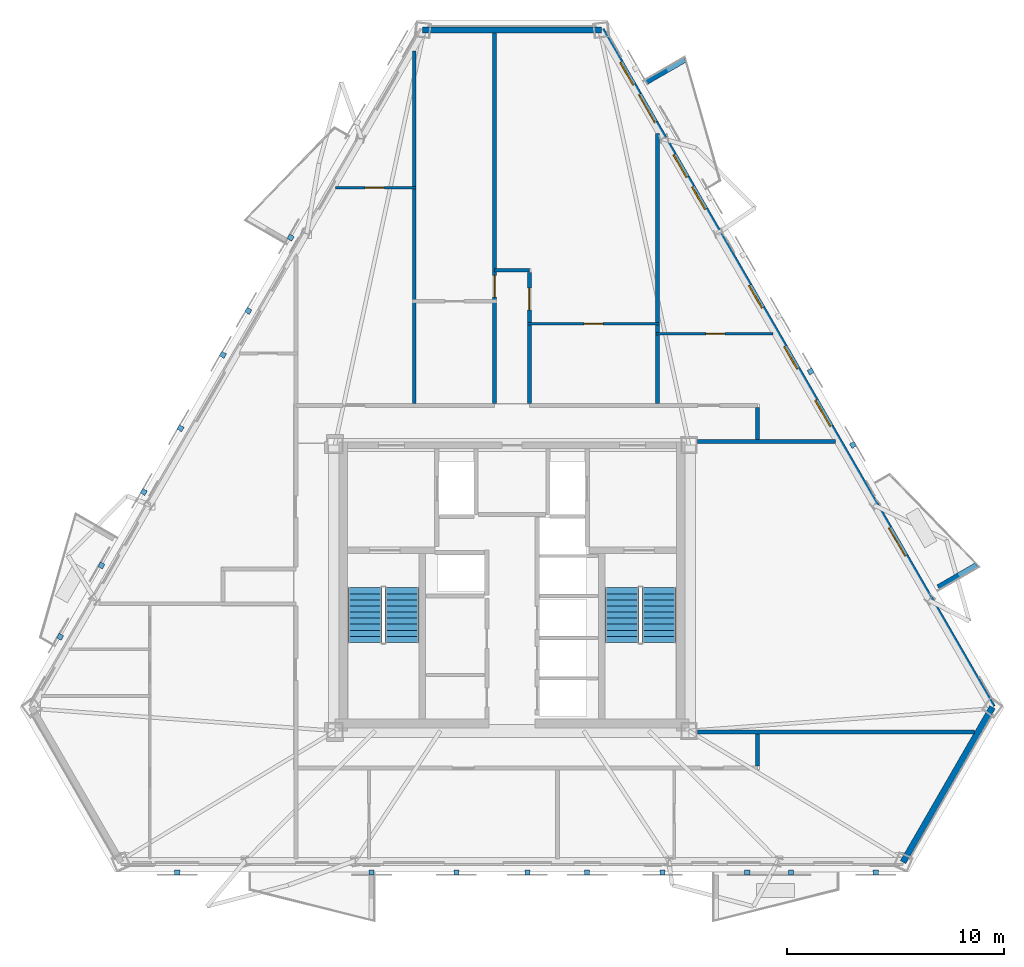
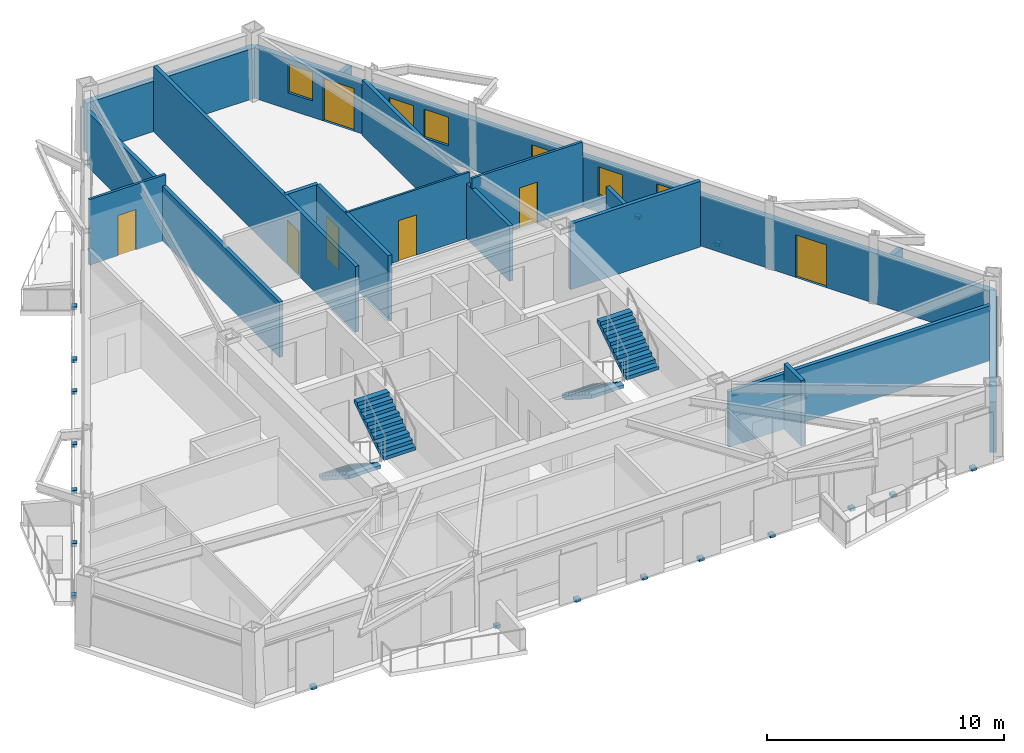
# One storey, part 5 of 9: 18 discrete accessories, 17 walls, 7 doors, 6 windows, 4 stair flights, 13 openings, 2 elements without a shape of their own.
"""IFC4 building model written with IfcOpenShell, lengths in metres."""

from ifc_helpers import new_model, si_unit, direction, frame, frame_2d, origin, origin_2d, place, context, subcontext, project, spatial, polyline, rectangle, outline, extrude, material, layer, layer_set, type_object, element, fill, aggregate, save


model = new_model("IFC4")

# Units and contexts
model_context = context("Model", 3, precision=1e-05, world=origin(), true_north=direction((0.0, 1.0)))
body_context = subcontext(model_context, "Body", "Model", "MODEL_VIEW")
ifc_project = project(units=[si_unit("LENGTHUNIT", "METRE"), si_unit("AREAUNIT", "SQUARE_METRE"), si_unit("VOLUMEUNIT", "CUBIC_METRE"), si_unit("PLANEANGLEUNIT", "RADIAN"), si_unit("MASSUNIT", "GRAM", prefix="KILO")], contexts=[model_context])

# Site, building, storey
site_placement = place(None, origin())
site = spatial("IfcSite", under=ifc_project, at=site_placement, CompositionType="ELEMENT")
building_placement = place(site_placement, origin())
building = spatial("IfcBuilding", under=site, at=building_placement, Name="Oramaril Tower", CompositionType="ELEMENT")
storey_placement = place(building_placement, frame((0.0, 0.0, 178.199951171875)))
storey = spatial("IfcBuildingStorey", under=building, at=storey_placement, Name="L47", CompositionType="ELEMENT", Elevation=178.199951171875)

# Wall
ifc_material_1 = material(Name="Warm Cream Limestone", Category="masonry")
ifc_layer_1 = layer(ifc_material_1, 0.2900390625)
ifc_layer_set_1 = layer_set([ifc_layer_1], Name="WT-EXT29")
wall_type_1 = type_object("IfcWallType", Name="WT-EXT29", PredefinedType="SOLIDWALL", material=ifc_layer_set_1)
wall_1_placement = place(storey_placement, frame((55.49609375, 4.956787109375, 0.0), z_axis=(0.0, 0.0, 1.0), x_axis=(0.499979154163, 0.8660374388, 0.0)))
element("IfcWall", 1, at=wall_1_placement, inside=storey, type_object=wall_type_1, Name="L47 Tower Limestone Facade Wall 3M", PredefinedType="SOLIDWALL", context=body_context, shape_type="SweptSolid", body=[
    extrude(rectangle(XDim=8.232666015625, YDim=0.2900390625, at=frame_2d((4.1162109375, 0.0))), origin(), (0.0, 0.0, 1.0), 2.60009765625),
])

# Wall, openings, doors, windows
wall_2_placement = place(storey_placement, frame((59.6123046875, 12.086669921875, 0.0), z_axis=(0.0, 0.0, 1.0), x_axis=(-0.499997641637, 0.866026765382, 0.0)))
wall_2 = element("IfcWall", 2, at=wall_2_placement, inside=storey, type_object=wall_type_1, Name="L47 Tower Limestone Facade Wall 4M", PredefinedType="SOLIDWALL", context=body_context, shape_type="SweptSolid", body=[
    extrude(rectangle(XDim=35.991943359375, YDim=0.2900390625, at=frame_2d((17.99609375, 0.0))), origin(), (0.0, 0.0, 1.0), 2.60009765625),
])
opening_1_placement = place(wall_2_placement, frame((8.034423828125, 0.0, 0.0)))
opening_1 = element("IfcOpeningElement", 3, at=opening_1_placement, cuts=wall_2, Name="Opening D-L47-BAL-NE1", PredefinedType="OPENING", context=body_context, shape_type="SweptSolid", body=[
    extrude(rectangle(XDim=1.5, YDim=2.199951171875, at=frame_2d((0.75, 1.10009765625))), frame((0.0, 0.14501953125, 0.0), z_axis=(0.0, -1.0, 0.0), x_axis=(1.0, 0.0, 0.0)), (0.0, 0.0, 1.0), 0.2900390625),
])
opening_2_placement = place(wall_2_placement, frame((31.0625, 0.0, 0.0)))
opening_2 = element("IfcOpeningElement", 4, at=opening_2_placement, cuts=wall_2, Name="Opening D-L47-BAL-NE2", PredefinedType="OPENING", context=body_context, shape_type="SweptSolid", body=[
    extrude(rectangle(XDim=1.5, YDim=2.199951171875, at=frame_2d((0.75, 1.10009765625))), frame((0.0, 0.14501953125, 0.0), z_axis=(0.0, -1.0, 0.0), x_axis=(1.0, 0.0, 0.0)), (0.0, 0.0, 1.0), 0.2900390625),
])
opening_3_placement = place(wall_2_placement, frame((28.159912109375, 0.0, 0.85009765625)))
opening_3 = element("IfcOpeningElement", 5, at=opening_3_placement, cuts=wall_2, Name="Opening WN-09", PredefinedType="OPENING", context=body_context, shape_type="SweptSolid", body=[
    extrude(rectangle(XDim=1.199951171875, YDim=1.47998046875, at=frame_2d((0.60009765625, 0.739990234375))), frame((0.0, 0.14501953125, 0.0), z_axis=(0.0, -1.0, 0.0), x_axis=(1.0, 0.0, 0.0)), (0.0, 0.0, 1.0), 0.2900390625),
])
opening_4_placement = place(wall_2_placement, frame((33.069091796875, 0.0, 0.85009765625)))
opening_4 = element("IfcOpeningElement", 6, at=opening_4_placement, cuts=wall_2, Name="Opening WN-09", PredefinedType="OPENING", context=body_context, shape_type="SweptSolid", body=[
    extrude(rectangle(XDim=1.199951171875, YDim=1.47998046875, at=frame_2d((0.60009765625, 0.739990234375))), frame((0.0, 0.14501953125, 0.0), z_axis=(0.0, -1.0, 0.0), x_axis=(1.0, 0.0, 0.0)), (0.0, 0.0, 1.0), 0.2900390625),
])
opening_5_placement = place(wall_2_placement, frame((14.91552734375, 0.0, 0.85009765625)))
opening_5 = element("IfcOpeningElement", 7, at=opening_5_placement, cuts=wall_2, Name="Opening WN-08", PredefinedType="OPENING", context=body_context, shape_type="SweptSolid", body=[
    extrude(rectangle(XDim=1.39990234375, YDim=1.60009765625, at=frame_2d((0.699951171875, 0.800048828125))), frame((0.0, 0.14501953125, 0.0), z_axis=(0.0, -1.0, 0.0), x_axis=(1.0, 0.0, 0.0)), (0.0, 0.0, 1.0), 0.2900390625),
])
opening_6_placement = place(wall_2_placement, frame((17.970947265625, 0.0, 0.85009765625)))
opening_6 = element("IfcOpeningElement", 8, at=opening_6_placement, cuts=wall_2, Name="Opening WN-09", PredefinedType="OPENING", context=body_context, shape_type="SweptSolid", body=[
    extrude(rectangle(XDim=1.199951171875, YDim=1.47998046875, at=frame_2d((0.60009765625, 0.739990234375))), frame((0.0, 0.14501953125, 0.0), z_axis=(0.0, -1.0, 0.0), x_axis=(1.0, 0.0, 0.0)), (0.0, 0.0, 1.0), 0.2900390625),
])
opening_7_placement = place(wall_2_placement, frame((21.212890625, 0.0, 0.85009765625)))
opening_7 = element("IfcOpeningElement", 9, at=opening_7_placement, cuts=wall_2, Name="Opening WN-09", PredefinedType="OPENING", context=body_context, shape_type="SweptSolid", body=[
    extrude(rectangle(XDim=1.199951171875, YDim=1.47998046875, at=frame_2d((0.60009765625, 0.739990234375))), frame((0.0, 0.14501953125, 0.0), z_axis=(0.0, -1.0, 0.0), x_axis=(1.0, 0.0, 0.0)), (0.0, 0.0, 1.0), 0.2900390625),
])
opening_8_placement = place(wall_2_placement, frame((26.452880859375, 0.0, 0.85009765625)))
opening_8 = element("IfcOpeningElement", 10, at=opening_8_placement, cuts=wall_2, Name="Opening WN-09", PredefinedType="OPENING", context=body_context, shape_type="SweptSolid", body=[
    extrude(rectangle(XDim=1.199951171875, YDim=1.47998046875, at=frame_2d((0.60009765625, 0.739990234375))), frame((0.0, 0.14501953125, 0.0), z_axis=(0.0, -1.0, 0.0), x_axis=(1.0, 0.0, 0.0)), (0.0, 0.0, 1.0), 0.2900390625),
])
ifc_material_2 = material(Name="Anodised Aluminium 6063-T6", Category="aluminium")
door_type_1 = type_object("IfcDoorType", Name="DT-BAL", OperationType="NOTDEFINED", PredefinedType="DOOR", material=ifc_material_2)
door_1_placement = place(opening_1_placement, origin())
door_1 = element("IfcDoor", 11, at=door_1_placement, inside=storey, type_object=door_type_1, Name="L47 Balcony Glazed Door L47-BAL-NE1", OperationType="SINGLE_SWING_RIGHT", OverallHeight=2.199951171875, OverallWidth=1.5, PredefinedType="DOOR", context=body_context, shape_type="SweptSolid", body=[
    extrude(rectangle(XDim=1.5, YDim=2.199951171875, at=frame_2d((0.75, 1.10009765625))), frame((0.0, 0.02490234375, 0.0), z_axis=(0.0, -1.0, 0.0), x_axis=(1.0, 0.0, 0.0)), (0.0, 0.0, 1.0), 0.050048828125),
])
fill(opening_1, door_1)
door_2_placement = place(opening_2_placement, origin())
door_2 = element("IfcDoor", 12, at=door_2_placement, inside=storey, type_object=door_type_1, Name="L47 Balcony Glazed Door L47-BAL-NE2", OperationType="SINGLE_SWING_LEFT", OverallHeight=2.199951171875, OverallWidth=1.5, PredefinedType="DOOR", context=body_context, shape_type="SweptSolid", body=[
    extrude(rectangle(XDim=1.5, YDim=2.199951171875, at=frame_2d((0.75, 1.10009765625))), frame((0.0, 0.02490234375, 0.0), z_axis=(0.0, -1.0, 0.0), x_axis=(1.0, 0.0, 0.0)), (0.0, 0.0, 1.0), 0.050048828125),
])
fill(opening_2, door_2)
ifc_material_3 = material(Name="Coastal Low-E Insulated Glass", Category="glass")
window_type_1 = type_object("IfcWindowType", Name="WNT-08", PartitioningType="SINGLE_PANEL", PredefinedType="WINDOW", material=ifc_material_3)
window_1_placement = place(opening_5_placement, origin())
window_1 = element("IfcWindow", 13, at=window_1_placement, inside=storey, type_object=window_type_1, Name="L47 Chicago Bay Window WN-08", OverallHeight=1.60009765625, OverallWidth=1.39990234375, PartitioningType="SINGLE_PANEL", PredefinedType="WINDOW", context=body_context, shape_type="SweptSolid", body=[
    extrude(rectangle(XDim=1.39990234375, YDim=1.60009765625, at=frame_2d((0.699951171875, 0.800048828125))), frame((0.0, 0.030029296875, 0.0), z_axis=(0.0, -1.0, 0.0), x_axis=(1.0, 0.0, 0.0)), (0.0, 0.0, 1.0), 0.06005859375),
])
fill(opening_5, window_1)
ifc_material_4 = material(Name="Coastal Low-E Insulated Glass", Category="glass")
window_type_2 = type_object("IfcWindowType", Name="WNT-09", PartitioningType="SINGLE_PANEL", PredefinedType="WINDOW", material=ifc_material_4)
window_2_placement = place(opening_3_placement, origin())
window_2 = element("IfcWindow", 14, at=window_2_placement, inside=storey, type_object=window_type_2, Name="L47 Chicago Bay Window WN-09", OverallHeight=1.47998046875, OverallWidth=1.199951171875, PartitioningType="SINGLE_PANEL", PredefinedType="WINDOW", context=body_context, shape_type="SweptSolid", body=[
    extrude(rectangle(XDim=1.199951171875, YDim=1.47998046875, at=frame_2d((0.60009765625, 0.739990234375))), frame((0.0, 0.030029296875, 0.0), z_axis=(0.0, -1.0, 0.0), x_axis=(1.0, 0.0, 0.0)), (0.0, 0.0, 1.0), 0.06005859375),
])
fill(opening_3, window_2)
window_3_placement = place(opening_4_placement, origin())
window_3 = element("IfcWindow", 15, at=window_3_placement, inside=storey, type_object=window_type_2, Name="L47 Chicago Bay Window WN-09", OverallHeight=1.47998046875, OverallWidth=1.199951171875, PartitioningType="SINGLE_PANEL", PredefinedType="WINDOW", context=body_context, shape_type="SweptSolid", body=[
    extrude(rectangle(XDim=1.199951171875, YDim=1.47998046875, at=frame_2d((0.60009765625, 0.739990234375))), frame((0.0, 0.030029296875, 0.0), z_axis=(0.0, -1.0, 0.0), x_axis=(1.0, 0.0, 0.0)), (0.0, 0.0, 1.0), 0.06005859375),
])
fill(opening_4, window_3)
window_4_placement = place(opening_6_placement, origin())
window_4 = element("IfcWindow", 16, at=window_4_placement, inside=storey, type_object=window_type_2, Name="L47 Chicago Bay Window WN-09", OverallHeight=1.47998046875, OverallWidth=1.199951171875, PartitioningType="SINGLE_PANEL", PredefinedType="WINDOW", context=body_context, shape_type="SweptSolid", body=[
    extrude(rectangle(XDim=1.199951171875, YDim=1.47998046875, at=frame_2d((0.60009765625, 0.739990234375))), frame((0.0, 0.030029296875, 0.0), z_axis=(0.0, -1.0, 0.0), x_axis=(1.0, 0.0, 0.0)), (0.0, 0.0, 1.0), 0.06005859375),
])
fill(opening_6, window_4)
window_5_placement = place(opening_7_placement, origin())
window_5 = element("IfcWindow", 17, at=window_5_placement, inside=storey, type_object=window_type_2, Name="L47 Chicago Bay Window WN-09", OverallHeight=1.47998046875, OverallWidth=1.199951171875, PartitioningType="SINGLE_PANEL", PredefinedType="WINDOW", context=body_context, shape_type="SweptSolid", body=[
    extrude(rectangle(XDim=1.199951171875, YDim=1.47998046875, at=frame_2d((0.60009765625, 0.739990234375))), frame((0.0, 0.030029296875, 0.0), z_axis=(0.0, -1.0, 0.0), x_axis=(1.0, 0.0, 0.0)), (0.0, 0.0, 1.0), 0.06005859375),
])
fill(opening_7, window_5)
window_6_placement = place(opening_8_placement, origin())
window_6 = element("IfcWindow", 18, at=window_6_placement, inside=storey, type_object=window_type_2, Name="L47 Chicago Bay Window WN-09", OverallHeight=1.47998046875, OverallWidth=1.199951171875, PartitioningType="SINGLE_PANEL", PredefinedType="WINDOW", context=body_context, shape_type="SweptSolid", body=[
    extrude(rectangle(XDim=1.199951171875, YDim=1.47998046875, at=frame_2d((0.60009765625, 0.739990234375))), frame((0.0, 0.030029296875, 0.0), z_axis=(0.0, -1.0, 0.0), x_axis=(1.0, 0.0, 0.0)), (0.0, 0.0, 1.0), 0.06005859375),
])
fill(opening_8, window_6)

# Walls
wall_3_placement = place(storey_placement, frame((41.616455078125, 43.256591796875, 0.0), z_axis=(0.0, 0.0, 1.0), x_axis=(-1.0, 0.0, 0.0)))
element("IfcWall", 19, at=wall_3_placement, inside=storey, type_object=wall_type_1, Name="L47 Tower Limestone Facade Wall 5M", PredefinedType="SOLIDWALL", context=body_context, shape_type="SweptSolid", body=[
    extrude(rectangle(XDim=8.23291015625, YDim=0.2900390625, at=frame_2d((4.116455078125, 0.0))), origin(), (0.0, 0.0, 1.0), 2.60009765625),
])
ifc_material_5 = material(Name="Concrete C40/50", Category="concrete")
ifc_layer_2 = layer(ifc_material_5, 0.22998046875)
ifc_layer_set_2 = layer_set([ifc_layer_2], Name="WT-PRP23")
wall_type_2 = type_object("IfcWallType", Name="WT-PRP23", PredefinedType="PARAPET", material=ifc_layer_set_2)
for number, where, z_axis, x_axis, name in (
    (20, (57.110595703125, 17.615966796875, 0.0), (0.0, 0.0, 1.0), (0.866012356593, 0.500022597718, 0.0), "L47 Trapezoidal Balcony Frame Cheek L47-BAL-NE1-L"),
    (21, (43.69140625, 40.8583984375, 0.0), (0.0, 0.0, 1.0), (0.866042246008, 0.499970827278, 0.0), "L47 Trapezoidal Balcony Frame Cheek L47-BAL-NE2-R"),
):
    element("IfcWall", number, at=place(storey_placement, frame(where, z_axis=z_axis, x_axis=x_axis)), inside=storey, type_object=wall_type_2, Name=name, PredefinedType="PARAPET", context=body_context, shape_type="SweptSolid", body=[
        extrude(outline(polyline([(0.0, 0.0), (2.0419921875, 0.0), (2.0419921875, 1.10009765625), (0.0, 1.320068359375), (0.0, 0.0)])), frame((0.0, 0.114990234375, 0.0), z_axis=(0.0, -1.0, 0.0), x_axis=(1.0, 0.0, 0.0)), (0.0, 0.0, 1.0), 0.22998046875),
    ])

# Wall, opening, door
ifc_material_6 = material(Name="Acoustic Gypsum Board Partition")
ifc_layer_3 = layer(ifc_material_6, 0.10009765625)
ifc_layer_set_3 = layer_set([ifc_layer_3], Name="WT-PT10")
wall_type_3 = type_object("IfcWallType", Name="WT-PT10", PredefinedType="PARTITIONING", material=ifc_layer_set_3)
wall_4_placement = place(storey_placement, frame((38.218017578125, 29.739990234375, 0.0), z_axis=(0.0, 0.0, 1.0), x_axis=(1.0, 0.0, 0.0)))
wall_4 = element("IfcWall", 22, at=wall_4_placement, inside=storey, type_object=wall_type_3, Name="L47 Interior Partition PT-10", PredefinedType="PARTITIONING", context=body_context, shape_type="SweptSolid", body=[
    extrude(rectangle(XDim=6.06396484375, YDim=0.10009765625, at=frame_2d((3.031982421875, 0.0))), origin(), (0.0, 0.0, 1.0), 3.380126953125),
])
opening_9_placement = place(wall_4_placement, frame((2.592041015625, 0.0, 0.0)))
opening_9 = element("IfcOpeningElement", 23, at=opening_9_placement, cuts=wall_4, Name="Opening D-L47-07", PredefinedType="OPENING", context=body_context, shape_type="SweptSolid", body=[
    extrude(rectangle(XDim=0.8798828125, YDim=2.080078125, at=frame_2d((0.43994140625, 1.0400390625))), frame((0.0, 0.050048828125, 0.0), z_axis=(0.0, -1.0, 0.0), x_axis=(1.0, 0.0, 0.0)), (0.0, 0.0, 1.0), 0.10009765625),
])
ifc_material_7 = material(Name="FSC Brazilian Freijo Hardwood", Category="wood")
door_type_2 = type_object("IfcDoorType", Name="DT-BATH", OperationType="NOTDEFINED", PredefinedType="DOOR", material=ifc_material_7)
door_3_placement = place(opening_9_placement, origin())
door_3 = element("IfcDoor", 24, at=door_3_placement, inside=storey, type_object=door_type_2, Name="L47 Flat L47-U8 Bathroom Door D-L47-07", OperationType="SINGLE_SWING_RIGHT", OverallHeight=2.080078125, OverallWidth=0.8798828125, PredefinedType="DOOR", context=body_context, shape_type="SweptSolid", body=[
    extrude(rectangle(XDim=0.8798828125, YDim=2.080078125, at=frame_2d((0.43994140625, 1.0400390625))), frame((0.0, 0.02490234375, 0.0), z_axis=(0.0, -1.0, 0.0), x_axis=(1.0, 0.0, 0.0)), (0.0, 0.0, 1.0), 0.050048828125),
])
fill(opening_9, door_3)

ifc_material_8 = material(Name="Acoustic Gypsum Board Partition")
ifc_layer_4 = layer(ifc_material_8, 0.1201171875)
ifc_layer_set_4 = layer_set([ifc_layer_4], Name="WT-PT12")
wall_type_4 = type_object("IfcWallType", Name="WT-PT12", PredefinedType="PARTITIONING", material=ifc_layer_set_4)
wall_5_placement = place(storey_placement, frame((44.117919921875, 29.280029296875, 0.0), z_axis=(0.0, 0.0, 1.0), x_axis=(1.0, 0.0, 0.0)))
wall_5 = element("IfcWall", 25, at=wall_5_placement, inside=storey, type_object=wall_type_4, Name="L47 Interior Partition PT-12", PredefinedType="PARTITIONING", context=body_context, shape_type="SweptSolid", body=[
    extrude(rectangle(XDim=5.395751953125, YDim=0.1201171875, at=frame_2d((2.69775390625, 0.0))), origin(), (0.0, 0.0, 1.0), 3.380126953125),
])
opening_10_placement = place(wall_5_placement, frame((2.300048828125, 0.0, 0.0)))
opening_10 = element("IfcOpeningElement", 26, at=opening_10_placement, cuts=wall_5, Name="Opening D-L47-06", PredefinedType="OPENING", context=body_context, shape_type="SweptSolid", body=[
    extrude(rectangle(XDim=0.8798828125, YDim=2.080078125, at=frame_2d((0.43994140625, 1.0400390625))), frame((0.0, 0.06005859375, 0.0), z_axis=(0.0, -1.0, 0.0), x_axis=(1.0, 0.0, 0.0)), (0.0, 0.0, 1.0), 0.1201171875),
])
door_4_placement = place(opening_10_placement, origin())
door_4 = element("IfcDoor", 27, at=door_4_placement, inside=storey, type_object=door_type_2, Name="L47 Flat L47-U9 Bathroom Door D-L47-06", OperationType="SINGLE_SWING_LEFT", OverallHeight=2.080078125, OverallWidth=0.8798828125, PredefinedType="DOOR", context=body_context, shape_type="SweptSolid", body=[
    extrude(rectangle(XDim=0.8798828125, YDim=2.080078125, at=frame_2d((0.43994140625, 1.0400390625))), frame((0.0, 0.02490234375, 0.0), z_axis=(0.0, -1.0, 0.0), x_axis=(1.0, 0.0, 0.0)), (0.0, 0.0, 1.0), 0.050048828125),
])
fill(opening_10, door_4)

wall_6_placement = place(storey_placement, frame((29.3662109375, 36.0, 0.0), z_axis=(0.0, 0.0, 1.0), x_axis=(1.0, 0.0, 0.0)))
wall_6 = element("IfcWall", 28, at=wall_6_placement, inside=storey, type_object=wall_type_4, Name="L47 Interior Partition PT-12", PredefinedType="PARTITIONING", context=body_context, shape_type="SweptSolid", body=[
    extrude(rectangle(XDim=3.7158203125, YDim=0.1201171875, at=frame_2d((1.85791015625, 0.0))), origin(), (0.0, 0.0, 1.0), 3.380126953125),
])
opening_11_placement = place(wall_6_placement, frame((1.37744140625, 0.0, 0.0)))
opening_11 = element("IfcOpeningElement", 29, at=opening_11_placement, cuts=wall_6, Name="Opening D-L47-09", PredefinedType="OPENING", context=body_context, shape_type="SweptSolid", body=[
    extrude(rectangle(XDim=0.8798828125, YDim=2.080078125, at=frame_2d((0.43994140625, 1.0400390625))), frame((0.0, 0.06005859375, 0.0), z_axis=(0.0, -1.0, 0.0), x_axis=(1.0, 0.0, 0.0)), (0.0, 0.0, 1.0), 0.1201171875),
])
door_5_placement = place(opening_11_placement, origin())
door_5 = element("IfcDoor", 30, at=door_5_placement, inside=storey, type_object=door_type_2, Name="L47 Flat L47-U6 Bathroom Door D-L47-09", OperationType="SINGLE_SWING_RIGHT", OverallHeight=2.080078125, OverallWidth=0.8798828125, PredefinedType="DOOR", context=body_context, shape_type="SweptSolid", body=[
    extrude(rectangle(XDim=0.8798828125, YDim=2.080078125, at=frame_2d((0.43994140625, 1.0400390625))), frame((0.0, 0.02490234375, 0.0), z_axis=(0.0, -1.0, 0.0), x_axis=(1.0, 0.0, 0.0)), (0.0, 0.0, 1.0), 0.050048828125),
])
fill(opening_11, door_5)

# Walls
ifc_material_9 = material(Name="Autoclaved Cellular Concrete Block", Category="concrete")
ifc_layer_5 = layer(ifc_material_9, 0.179931640625)
ifc_layer_set_5 = layer_set([ifc_layer_5], Name="WT-PT18")
wall_type_5 = type_object("IfcWallType", Name="WT-PT18", PredefinedType="PARTITIONING", material=ifc_layer_set_5)
wall_7_placement = place(storey_placement, frame((46.0400390625, 10.949951171875, 0.0), z_axis=(0.0, 0.0, 1.0), x_axis=(1.0, 0.0, 0.0)))
element("IfcWall", 31, at=wall_7_placement, inside=storey, type_object=wall_type_5, Name="L47 Interior Partition PT-18", PredefinedType="PARTITIONING", context=body_context, shape_type="SweptSolid", body=[
    extrude(rectangle(XDim=12.744140625, YDim=0.179931640625, at=frame_2d((6.3720703125, 0.0))), origin(), (0.0, 0.0, 1.0), 2.842041015625),
])
wall_8_placement = place(storey_placement, frame((46.0400390625, 24.320068359375, 0.0), z_axis=(0.0, 0.0, 1.0), x_axis=(1.0, 0.0, 0.0)))
element("IfcWall", 32, at=wall_8_placement, inside=storey, type_object=wall_type_5, Name="L47 Interior Partition PT-18", PredefinedType="PARTITIONING", context=body_context, shape_type="SweptSolid", body=[
    extrude(rectangle(XDim=6.33740234375, YDim=0.179931640625, at=frame_2d((3.168701171875, 0.0))), origin(), (0.0, 0.0, 1.0), 3.380126953125),
])
wall_9_placement = place(storey_placement, frame((36.699951171875, 32.199951171875, 0.0), z_axis=(0.0, 0.0, 1.0), x_axis=(1.0, 0.0, 0.0)))
element("IfcWall", 33, at=wall_9_placement, inside=storey, type_object=wall_type_5, Name="L47 Interior Partition PT-18", PredefinedType="PARTITIONING", context=body_context, shape_type="SweptSolid", body=[
    extrude(rectangle(XDim=1.60009765625, YDim=0.179931640625, at=frame_2d((0.800048828125, 0.0))), origin(), (0.0, 0.0, 1.0), 3.380126953125),
])
wall_10_placement = place(storey_placement, frame((33.0, 26.06396484375, 0.0), z_axis=(0.0, 0.0, 1.0), x_axis=(0.0, 1.0, 0.0)))
element("IfcWall", 34, at=wall_10_placement, inside=storey, type_object=wall_type_5, Name="L47 Interior Partition PT-18", PredefinedType="PARTITIONING", context=body_context, shape_type="SweptSolid", body=[
    extrude(rectangle(XDim=16.230224609375, YDim=0.179931640625, at=frame_2d((8.115234375, 0.0))), origin(), (0.0, 0.0, 1.0), 2.842041015625),
])

# Wall, opening, door
wall_11_placement = place(storey_placement, frame((36.699951171875, 26.06396484375, 0.0), z_axis=(0.0, 0.0, 1.0), x_axis=(0.0, 1.0, 0.0)))
wall_11 = element("IfcWall", 35, at=wall_11_placement, inside=storey, type_object=wall_type_5, Name="L47 Interior Partition PT-18", PredefinedType="PARTITIONING", context=body_context, shape_type="SweptSolid", body=[
    extrude(rectangle(XDim=17.043701171875, YDim=0.179931640625, at=frame_2d((8.52197265625, 0.0))), origin(), (0.0, 0.0, 1.0), 3.380126953125),
])
opening_12_placement = place(wall_11_placement, frame((4.899169921875, 0.0, 0.0)))
opening_12 = element("IfcOpeningElement", 36, at=opening_12_placement, cuts=wall_11, Name="Opening D-L47-16", PredefinedType="OPENING", context=body_context, shape_type="SweptSolid", body=[
    extrude(rectangle(XDim=1.0, YDim=2.179931640625, at=frame_2d((0.5, 1.08984375))), frame((0.0, 0.08984375, 0.0), z_axis=(0.0, -1.0, 0.0), x_axis=(1.0, 0.0, 0.0)), (0.0, 0.0, 1.0), 0.179931640625),
])
ifc_material_10 = material(Name="FSC Brazilian Freijo Hardwood", Category="wood")
door_type_3 = type_object("IfcDoorType", Name="DT-APT", OperationType="NOTDEFINED", PredefinedType="DOOR", material=ifc_material_10)
door_6_placement = place(opening_12_placement, origin())
door_6 = element("IfcDoor", 37, at=door_6_placement, inside=storey, type_object=door_type_3, Name="L47 Flat L47-U7 Kitchen and Studio Apartment Door D-L47-16", OperationType="SINGLE_SWING_LEFT", OverallHeight=2.179931640625, OverallWidth=1.0, PredefinedType="DOOR", context=body_context, shape_type="SweptSolid", body=[
    extrude(rectangle(XDim=1.0, YDim=2.179931640625, at=frame_2d((0.5, 1.08984375))), frame((0.0, 0.02490234375, 0.0), z_axis=(0.0, -1.0, 0.0), x_axis=(1.0, 0.0, 0.0)), (0.0, 0.0, 1.0), 0.050048828125),
])
fill(opening_12, door_6)

wall_12_placement = place(storey_placement, frame((38.300048828125, 26.06396484375, 0.0), z_axis=(0.0, 0.0, 1.0), x_axis=(0.0, 1.0, 0.0)))
wall_12 = element("IfcWall", 38, at=wall_12_placement, inside=storey, type_object=wall_type_5, Name="L47 Interior Partition PT-18", PredefinedType="PARTITIONING", context=body_context, shape_type="SweptSolid", body=[
    extrude(rectangle(XDim=6.0419921875, YDim=0.179931640625, at=frame_2d((3.02099609375, 0.0))), origin(), (0.0, 0.0, 1.0), 3.380126953125),
])
opening_13_placement = place(wall_12_placement, frame((4.317138671875, 0.0, 0.0)))
opening_13 = element("IfcOpeningElement", 39, at=opening_13_placement, cuts=wall_12, Name="Opening D-L47-17", PredefinedType="OPENING", context=body_context, shape_type="SweptSolid", body=[
    extrude(rectangle(XDim=1.0, YDim=2.179931640625, at=frame_2d((0.5, 1.08984375))), frame((0.0, 0.08984375, 0.0), z_axis=(0.0, -1.0, 0.0), x_axis=(1.0, 0.0, 0.0)), (0.0, 0.0, 1.0), 0.179931640625),
])
door_7_placement = place(opening_13_placement, origin())
door_7 = element("IfcDoor", 40, at=door_7_placement, inside=storey, type_object=door_type_3, Name="L47 Flat L47-U8 Kitchen and Studio Apartment Door D-L47-17", OperationType="SINGLE_SWING_RIGHT", OverallHeight=2.179931640625, OverallWidth=1.0, PredefinedType="DOOR", context=body_context, shape_type="SweptSolid", body=[
    extrude(rectangle(XDim=1.0, YDim=2.179931640625, at=frame_2d((0.5, 1.08984375))), frame((0.0, 0.02490234375, 0.0), z_axis=(0.0, -1.0, 0.0), x_axis=(1.0, 0.0, 0.0)), (0.0, 0.0, 1.0), 0.050048828125),
])
fill(opening_13, door_7)

# Walls
wall_13_placement = place(storey_placement, frame((44.199951171875, 26.06396484375, 0.0), z_axis=(0.0, 0.0, 1.0), x_axis=(0.0, 1.0, 0.0)))
element("IfcWall", 41, at=wall_13_placement, inside=storey, type_object=wall_type_5, Name="L47 Interior Partition PT-18", PredefinedType="PARTITIONING", context=body_context, shape_type="SweptSolid", body=[
    extrude(rectangle(XDim=12.419677734375, YDim=0.179931640625, at=frame_2d((6.2099609375, 0.0))), origin(), (0.0, 0.0, 1.0), 2.842041015625),
])
for number, where, z_axis, x_axis, name in (
    (42, (48.800048828125, 9.39404296875, 0.0), (0.0, 0.0, 1.0), (0.0, 1.0, 0.0), "L47 Interior Partition PT-18"),
    (43, (48.800048828125, 24.4140625, 0.0), (0.0, 0.0, 1.0), (0.0, 1.0, 0.0), "L47 Interior Partition PT-18"),
):
    element("IfcWall", number, at=place(storey_placement, frame(where, z_axis=z_axis, x_axis=x_axis)), inside=storey, type_object=wall_type_5, Name=name, PredefinedType="PARTITIONING", context=body_context, shape_type="SweptSolid", body=[
        extrude(rectangle(XDim=1.4619140625, YDim=0.179931640625, at=frame_2d((0.73095703125, 0.0))), origin(), (0.0, 0.0, 1.0), 3.380126953125),
    ])

# Stair, stair flights
ifc_material_11 = material(Name="Concrete C50/60", Category="concrete")
stair_type = type_object("IfcStairType", Name="STT-DG-3600", PredefinedType="HALF_TURN_STAIR", material=ifc_material_11)
stair_1_placement = place(storey_placement, origin())
stair_1 = element("IfcStair", 44, at=stair_1_placement, inside=storey, type_object=stair_type, Name="L47 Protected PFP Exit Stair ST-1", PredefinedType="HALF_TURN_STAIR")
ifc_material_12 = material(Name="Concrete C50/60", Category="concrete")
stair_flight_type = type_object("IfcStairFlightType", Name="SFT-DG-3600", PredefinedType="STRAIGHT", material=ifc_material_12)
stair_flight_1_placement = place(storey_placement, frame((30.72998046875, 17.590087890625, 0.0), z_axis=(0.0, 0.0, 1.0), x_axis=(0.0, -1.0, 0.0)))
stair_flight_1 = element("IfcStairFlight", 45, at=stair_flight_1_placement, type_object=stair_flight_type, Name="ST-1 flight 1", NumberOfRisers=10, NumberOfTreads=9, PredefinedType="STRAIGHT", RiserHeight=0.18, TreadLength=0.28, context=body_context, shape_type="SweptSolid", body=[
    extrude(outline(polyline([(0.0, 0.0), (0.0, 0.179931640625), (0.280029296875, 0.179931640625), (0.280029296875, 0.360107421875), (0.56005859375, 0.360107421875), (0.56005859375, 0.5400390625), (0.840087890625, 0.5400390625), (0.840087890625, 0.719970703125), (1.1201171875, 0.719970703125), (1.1201171875, 0.89990234375), (1.39990234375, 0.89990234375), (1.39990234375, 1.080078125), (1.679931640625, 1.080078125), (1.679931640625, 1.260009765625), (1.9599609375, 1.260009765625), (1.9599609375, 1.43994140625), (2.239990234375, 1.43994140625), (2.239990234375, 1.6201171875), (2.52001953125, 1.6201171875), (2.52001953125, 1.800048828125), (2.52001953125, 1.44189453125), (0.277099609375, 0.0), (0.0, 0.0)])), frame((0.0, 0.780029296875, 0.0), z_axis=(0.0, -1.0, 0.0), x_axis=(1.0, 0.0, 0.0)), (0.0, 0.0, 1.0), 1.56005859375),
])
stair_flight_2_placement = place(storey_placement, frame((32.43994140625, 15.070068359375, 1.800048828125), z_axis=(0.0, 0.0, 1.0), x_axis=(0.0, 1.0, 0.0)))
stair_flight_2 = element("IfcStairFlight", 46, at=stair_flight_2_placement, type_object=stair_flight_type, Name="ST-1 flight 2", NumberOfRisers=10, NumberOfTreads=9, PredefinedType="STRAIGHT", RiserHeight=0.18, TreadLength=0.28, context=body_context, shape_type="SweptSolid", body=[
    extrude(outline(polyline([(0.0, 0.0), (0.0, 0.179931640625), (0.280029296875, 0.179931640625), (0.280029296875, 0.360107421875), (0.56005859375, 0.360107421875), (0.56005859375, 0.5400390625), (0.840087890625, 0.5400390625), (0.840087890625, 0.719970703125), (1.1201171875, 0.719970703125), (1.1201171875, 0.89990234375), (1.39990234375, 0.89990234375), (1.39990234375, 1.080078125), (1.679931640625, 1.080078125), (1.679931640625, 1.260009765625), (1.9599609375, 1.260009765625), (1.9599609375, 1.43994140625), (2.239990234375, 1.43994140625), (2.239990234375, 1.6201171875), (2.52001953125, 1.6201171875), (2.52001953125, 1.800048828125), (2.52001953125, 1.44189453125), (0.277099609375, 0.0), (0.0, 0.0)])), frame((0.0, 0.780029296875, 0.0), z_axis=(0.0, -1.0, 0.0), x_axis=(1.0, 0.0, 0.0)), (0.0, 0.0, 1.0), 1.56005859375),
])
aggregate(stair_1, [stair_flight_1, stair_flight_2])

stair_2_placement = place(storey_placement, origin())
stair_2 = element("IfcStair", 47, at=stair_2_placement, inside=storey, type_object=stair_type, Name="L47 Protected PFP Exit Stair ST-2", PredefinedType="HALF_TURN_STAIR")
stair_flight_3_placement = place(storey_placement, frame((42.56005859375, 17.590087890625, 0.0), z_axis=(0.0, 0.0, 1.0), x_axis=(0.0, -1.0, 0.0)))
stair_flight_3 = element("IfcStairFlight", 48, at=stair_flight_3_placement, type_object=stair_flight_type, Name="ST-2 flight 1", NumberOfRisers=10, NumberOfTreads=9, PredefinedType="STRAIGHT", RiserHeight=0.18, TreadLength=0.28, context=body_context, shape_type="SweptSolid", body=[
    extrude(outline(polyline([(0.0, 0.0), (0.0, 0.179931640625), (0.280029296875, 0.179931640625), (0.280029296875, 0.360107421875), (0.56005859375, 0.360107421875), (0.56005859375, 0.5400390625), (0.840087890625, 0.5400390625), (0.840087890625, 0.719970703125), (1.1201171875, 0.719970703125), (1.1201171875, 0.89990234375), (1.39990234375, 0.89990234375), (1.39990234375, 1.080078125), (1.679931640625, 1.080078125), (1.679931640625, 1.260009765625), (1.9599609375, 1.260009765625), (1.9599609375, 1.43994140625), (2.239990234375, 1.43994140625), (2.239990234375, 1.6201171875), (2.52001953125, 1.6201171875), (2.52001953125, 1.800048828125), (2.52001953125, 1.44189453125), (0.277099609375, 0.0), (0.0, 0.0)])), frame((0.0, 0.780029296875, 0.0), z_axis=(0.0, -1.0, 0.0), x_axis=(1.0, 0.0, 0.0)), (0.0, 0.0, 1.0), 1.56005859375),
])
stair_flight_4_placement = place(storey_placement, frame((44.27001953125, 15.070068359375, 1.800048828125), z_axis=(0.0, 0.0, 1.0), x_axis=(0.0, 1.0, 0.0)))
stair_flight_4 = element("IfcStairFlight", 49, at=stair_flight_4_placement, type_object=stair_flight_type, Name="ST-2 flight 2", NumberOfRisers=10, NumberOfTreads=9, PredefinedType="STRAIGHT", RiserHeight=0.18, TreadLength=0.28, context=body_context, shape_type="SweptSolid", body=[
    extrude(outline(polyline([(0.0, 0.0), (0.0, 0.179931640625), (0.280029296875, 0.179931640625), (0.280029296875, 0.360107421875), (0.56005859375, 0.360107421875), (0.56005859375, 0.5400390625), (0.840087890625, 0.5400390625), (0.840087890625, 0.719970703125), (1.1201171875, 0.719970703125), (1.1201171875, 0.89990234375), (1.39990234375, 0.89990234375), (1.39990234375, 1.080078125), (1.679931640625, 1.080078125), (1.679931640625, 1.260009765625), (1.9599609375, 1.260009765625), (1.9599609375, 1.43994140625), (2.239990234375, 1.43994140625), (2.239990234375, 1.6201171875), (2.52001953125, 1.6201171875), (2.52001953125, 1.800048828125), (2.52001953125, 1.44189453125), (0.277099609375, 0.0), (0.0, 0.0)])), frame((0.0, 0.780029296875, 0.0), z_axis=(0.0, -1.0, 0.0), x_axis=(1.0, 0.0, 0.0)), (0.0, 0.0, 1.0), 1.56005859375),
])
aggregate(stair_2, [stair_flight_3, stair_flight_4])

# Discrete accessories
for number, where, z_axis, x_axis, name in (
    (50, (31.03955078125, 4.476806640625, -0.14013671875), (0.0, 0.0, 1.0), (1.0, 0.0, 0.0), "L47 Solar Screen Slab Bracket"),
    (51, (34.939453125, 4.476806640625, -0.14013671875), (0.0, 0.0, 1.0), (1.0, 0.0, 0.0), "L47 Solar Screen Slab Bracket"),
    (52, (38.20703125, 4.476806640625, -0.14013671875), (0.0, 0.0, 1.0), (1.0, 0.0, 0.0), "L47 Solar Screen Slab Bracket"),
    (53, (44.42578125, 4.476806640625, -0.14013671875), (0.0, 0.0, 1.0), (1.0, 0.0, 0.0), "L47 Solar Screen Slab Bracket"),
    (54, (48.32568359375, 4.476806640625, -0.14013671875), (0.0, 0.0, 1.0), (1.0, 0.0, 0.0), "L47 Solar Screen Slab Bracket"),
    (55, (50.33935546875, 4.476806640625, -0.14013671875), (0.0, 0.0, 1.0), (1.0, 0.0, 0.0), "L47 Solar Screen Slab Bracket"),
    (56, (54.2392578125, 4.476806640625, -0.14013671875), (0.0, 0.0, 1.0), (1.0, 0.0, 0.0), "L47 Solar Screen Slab Bracket"),
    (57, (40.9580078125, 4.476806640625, -0.14013671875), (0.0, 0.0, 1.0), (1.0, 0.0, 0.0), "L47 Solar Screen Slab Bracket"),
    (58, (22.091064453125, 4.476806640625, -0.14013671875), (0.0, 0.0, 1.0), (1.0, 0.0, 0.0), "L47 Solar Screen Slab Bracket"),
    (59, (53.1953125, 24.1611328125, -0.14013671875), (0.0, 0.0, 1.0), (-0.5, 0.866025403784, 0.0), "L47 Solar Screen Slab Bracket"),
    (60, (51.245361328125, 27.538818359375, -0.14013671875), (0.0, 0.0, 1.0), (-0.5, 0.866025403784, 0.0), "L47 Solar Screen Slab Bracket"),
    (61, (16.705810546875, 15.32958984375, -0.14013671875), (0.0, 0.0, 1.0), (-0.5, -0.866025403784, 0.0), "L47 Solar Screen Slab Bracket"),
    (62, (24.197509765625, 28.305908203125, -0.14013671875), (0.0, 0.0, 1.0), (-0.5, -0.866025403784, 0.0), "L47 Solar Screen Slab Bracket"),
    (63, (22.24755859375, 24.92822265625, -0.14013671875), (0.0, 0.0, 1.0), (-0.5, -0.866025403784, 0.0), "L47 Solar Screen Slab Bracket"),
    (64, (20.5537109375, 21.994384765625, -0.14013671875), (0.0, 0.0, 1.0), (-0.5, -0.866025403784, 0.0), "L47 Solar Screen Slab Bracket"),
    (65, (18.603759765625, 18.616943359375, -0.14013671875), (0.0, 0.0, 1.0), (-0.5, -0.866025403784, 0.0), "L47 Solar Screen Slab Bracket"),
    (66, (27.314208984375, 33.704345703125, -0.14013671875), (0.0, 0.0, 1.0), (-0.5, -0.866025403784, 0.0), "L47 Solar Screen Slab Bracket"),
    (67, (25.3642578125, 30.326904296875, -0.14013671875), (0.0, 0.0, 1.0), (-0.5, -0.866025403784, 0.0), "L47 Solar Screen Slab Bracket"),
):
    element("IfcDiscreteAccessory", number, at=place(storey_placement, frame(where, z_axis=z_axis, x_axis=x_axis)), inside=storey, Name=name, PredefinedType="BRACKET", context=body_context, shape_type="SweptSolid", body=[
        extrude(rectangle(XDim=0.239990234375, YDim=0.239990234375, at=origin_2d()), origin(), (0.0, 0.0, 1.0), 0.159912109375),
    ])

save(model, "model.ifc")
